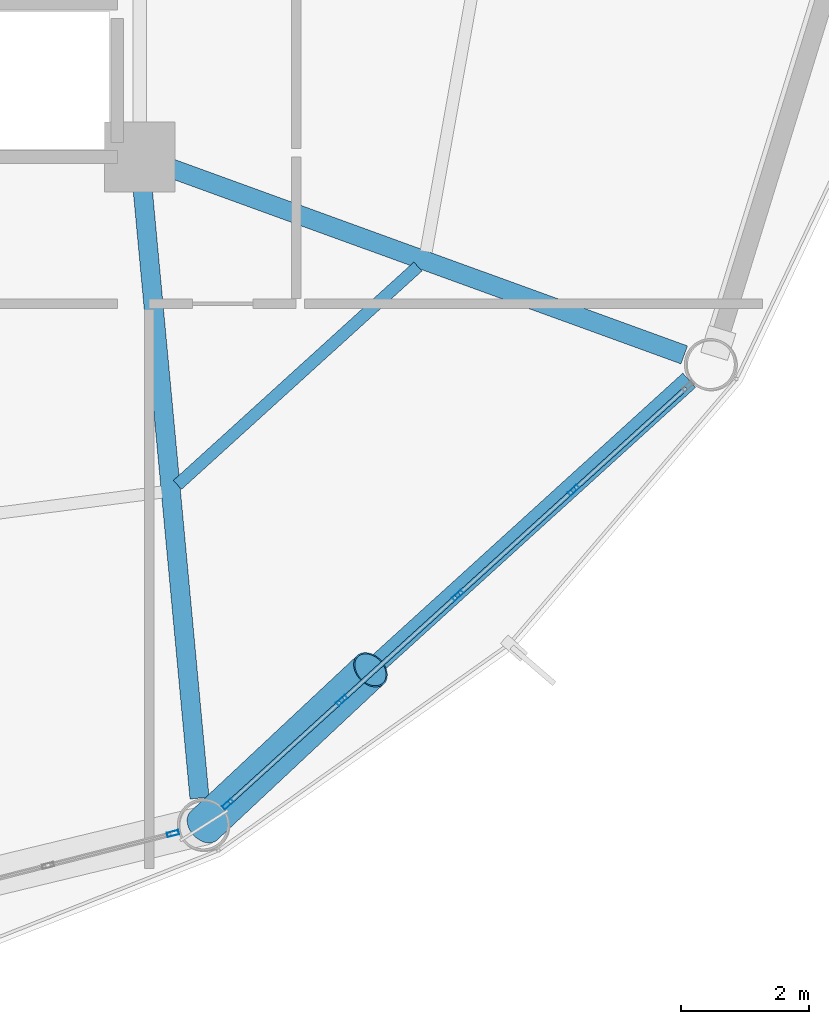
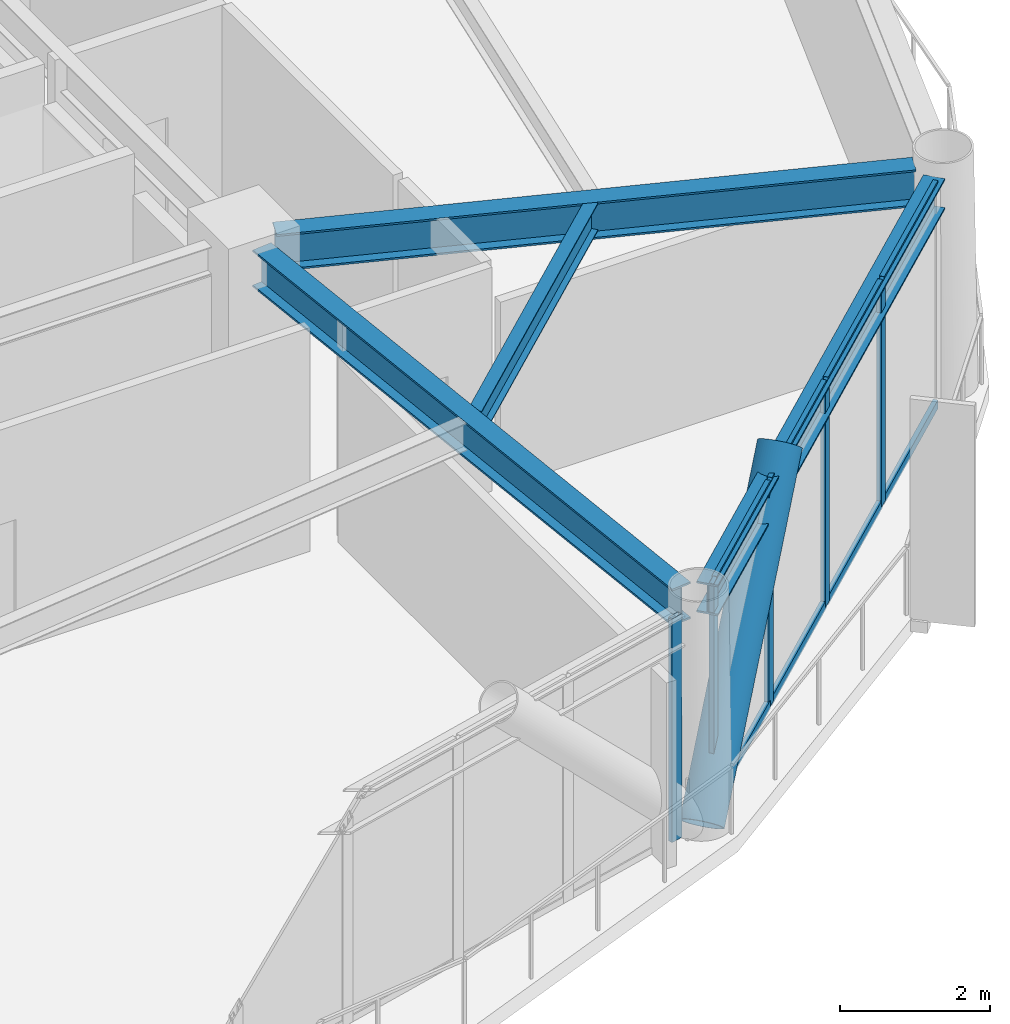
# One storey, part 12 of 26: 14 members, 4 beams, 2 elements without a shape of their own.
"""IFC4 building model written with IfcOpenShell, lengths in metres."""

from ifc_helpers import new_model, si_unit, direction, frame, origin, origin_2d, place, context, subcontext, project, spatial, hollow_rectangle, hollow_circle, i_section, extrude, material, layer, layer_set, material_profile, profile_set, type_object, element, aggregate, save


model = new_model("IFC4")

# Units and contexts
model_context = context("Model", 3, precision=1e-05, world=origin(), true_north=direction((0.0, 1.0)))
body_context = subcontext(model_context, "Body", "Model", "MODEL_VIEW")
ifc_project = project(units=[si_unit("LENGTHUNIT", "METRE"), si_unit("AREAUNIT", "SQUARE_METRE"), si_unit("VOLUMEUNIT", "CUBIC_METRE"), si_unit("PLANEANGLEUNIT", "RADIAN"), si_unit("MASSUNIT", "GRAM", prefix="KILO")], contexts=[model_context])

# Site, building, storey
site_placement = place(None, origin())
site = spatial("IfcSite", under=ifc_project, at=site_placement, CompositionType="ELEMENT")
building_placement = place(site_placement, origin())
building = spatial("IfcBuilding", under=site, at=building_placement, Name="Varnakorn Sky Granary", CompositionType="ELEMENT")
storey_placement = place(building_placement, frame((0.0, 0.0, 87.60009765625)))
storey = spatial("IfcBuildingStorey", under=building, at=storey_placement, Name="L21", CompositionType="ELEMENT", Elevation=87.60009765625)

# Beams
ifc_material_1 = material(Name="Steel S355JR", Category="steel")
ifc_material_profile_1 = material_profile(ifc_material_1, i_section(OverallWidth=0.300048828125, OverallDepth=0.60009765625, WebThickness=0.015380859375, FlangeThickness=0.030029296875, at=origin_2d()), Name="HE 600 B")
ifc_profile_set_1 = profile_set([ifc_material_profile_1], Name="Steel S355JR")
beam_type_1 = type_object("IfcBeamType", Name="BM-RAD-Z2", PredefinedType="BEAM", material=ifc_profile_set_1)
beam_1_placement = place(storey_placement, frame((8.388916015625, -7.018310546875, 3.33984375), z_axis=(0.092974523196, -0.99566848802, 0.0), x_axis=(0.99566848802, 0.092974523196, 0.0)))
element("IfcBeam", 1, at=beam_1_placement, inside=storey, type_object=beam_type_1, Name="Radial Floor Girder RG11 L21", PredefinedType="BEAM", context=body_context, shape_type="SweptSolid", body=[
    extrude(i_section(OverallWidth=0.300048828125, OverallDepth=0.60009765625, WebThickness=0.015380859375, FlangeThickness=0.030029296875, at=origin_2d()), origin(), (0.0, 0.0, 1.0), 9.665771484375),
])
beam_2_placement = place(storey_placement, frame((8.74462890625, -6.743408203125, 3.33984375), z_axis=(0.939863404905, -0.341550552804, 0.0), x_axis=(0.341550552804, 0.939863404905, 0.0)))
element("IfcBeam", 2, at=beam_2_placement, inside=storey, type_object=beam_type_1, Name="Radial Floor Girder RG12 L21", PredefinedType="BEAM", context=body_context, shape_type="SweptSolid", body=[
    extrude(i_section(OverallWidth=0.300048828125, OverallDepth=0.60009765625, WebThickness=0.015380859375, FlangeThickness=0.030029296875, at=origin_2d()), origin(), (0.0, 0.0, 1.0), 8.655517578125),
])
ifc_material_profile_2 = material_profile(ifc_material_1, i_section(OverallWidth=0.18994140625, OverallDepth=0.449951171875, WebThickness=0.009521484375, FlangeThickness=0.0146484375, at=origin_2d()), Name="IPE 450")
ifc_profile_set_2 = profile_set([ifc_material_profile_2], Name="Steel S355JR")
beam_type_2 = type_object("IfcBeamType", Name="BM-SEC-Z2", PredefinedType="BEAM", material=ifc_profile_set_2)
beam_3_placement = place(storey_placement, frame((8.94189453125, -11.736083984375, 3.414794921875), z_axis=(0.740332957245, 0.672240368035, 0.0), x_axis=(-0.672240368035, 0.740332957245, 0.0)))
element("IfcBeam", 3, at=beam_3_placement, inside=storey, type_object=beam_type_2, Name="Secondary Floor Chord Beam MSB11 L21", PredefinedType="BEAM", context=body_context, shape_type="SweptSolid", body=[
    extrude(i_section(OverallWidth=0.18994140625, OverallDepth=0.449951171875, WebThickness=0.009521484375, FlangeThickness=0.0146484375, at=origin_2d()), origin(), (0.0, 0.0, 1.0), 5.087646484375),
])
ifc_material_profile_3 = material_profile(ifc_material_1, i_section(OverallWidth=0.300048828125, OverallDepth=0.5, WebThickness=0.014404296875, FlangeThickness=0.028076171875, at=origin_2d()), Name="HE 500 B")
ifc_profile_set_3 = profile_set([ifc_material_profile_3], Name="Steel S355JR")
beam_type_3 = type_object("IfcBeamType", Name="BM-SPD-Z2", PredefinedType="SPANDREL", material=ifc_profile_set_3)
beam_4_placement = place(storey_placement, frame((9.61376953125, -16.768798828125, 3.389892578125), z_axis=(0.740163814334, 0.6724265967, 0.0), x_axis=(-0.6724265967, 0.740163814334, 0.0)))
element("IfcBeam", 4, at=beam_4_placement, inside=storey, type_object=beam_type_3, Name="Perimeter Spandrel Ring Beam RB11 L21", PredefinedType="SPANDREL", context=body_context, shape_type="SweptSolid", body=[
    extrude(i_section(OverallWidth=0.300048828125, OverallDepth=0.5, WebThickness=0.014404296875, FlangeThickness=0.028076171875, at=origin_2d()), origin(), (0.0, 0.0, 1.0), 9.92236328125),
])

# Curtain wall, member
ifc_material_2 = material(Name="Anodised Bronze Aluminium Alloy 6063-T6", Category="aluminium")
ifc_layer = layer(ifc_material_2, 0.18994140625, Name="Anodised Bronze Aluminium Alloy 6063-T6")
ifc_layer_set = layer_set([ifc_layer], Name="Anodised Bronze Aluminium Alloy 6063-T6")
curtain_wall_type = type_object("IfcCurtainWallType", Name="CW-FRM-1", PredefinedType="USERDEFINED", material=ifc_layer_set)
curtain_wall_1_placement = place(storey_placement, origin())
curtain_wall_1 = element("IfcCurtainWall", 5, at=curtain_wall_1_placement, inside=storey, type_object=curtain_wall_type, Name="Unitised Curtain Wall CW3 CW-L21-B10", ObjectType="CURTAIN WALL", PredefinedType="USERDEFINED")
ifc_material_profile_4 = material_profile(ifc_material_2, hollow_rectangle(XDim=0.070068359375, YDim=0.18505859375, WallThickness=0.00390625, at=origin_2d()), Name="ALU MULL 70x185")
ifc_profile_set_4 = profile_set([ifc_material_profile_4], Name="Anodised Bronze Aluminium Alloy 6063-T6")
member_type_1 = type_object("IfcMemberType", Name="CW-FRM-1-MULL", PredefinedType="MULLION", material=ifc_profile_set_4)
member_1_placement = place(storey_placement, frame((8.87158203125, -17.197998046875, 0.0), z_axis=(0.0, 0.0, 1.0), x_axis=(0.247728719051, -0.96882943894, 0.0)))
member_1 = element("IfcMember", 6, at=member_1_placement, type_object=member_type_1, Name="CW3 mullion 1", PredefinedType="MULLION", context=body_context, shape_type="SweptSolid", body=[
    extrude(hollow_rectangle(XDim=0.070068359375, YDim=0.18505859375, WallThickness=0.00390625, at=origin_2d()), origin(), (0.0, 0.0, 1.0), 3.639892578125),
])
aggregate(curtain_wall_1, [member_1])

# Curtain wall, members
curtain_wall_2_placement = place(storey_placement, origin())
curtain_wall_2 = element("IfcCurtainWall", 7, at=curtain_wall_2_placement, inside=storey, type_object=curtain_wall_type, Name="Unitised Curtain Wall CW3 CW-L21-B11", ObjectType="CURTAIN WALL", PredefinedType="USERDEFINED")
member_2_placement = place(storey_placement, frame((15.14599609375, -11.818359375, 0.0), z_axis=(0.0, 0.0, 1.0), x_axis=(0.672190262797, -0.74037845093, 0.0)))
member_2 = element("IfcMember", 8, at=member_2_placement, type_object=member_type_1, Name="CW3 mullion 2", PredefinedType="MULLION", context=body_context, shape_type="SweptSolid", body=[
    extrude(hollow_rectangle(XDim=0.070068359375, YDim=0.18505859375, WallThickness=0.00390625, at=origin_2d()), origin(), (0.0, 0.0, 1.0), 3.639892578125),
])
member_3_placement = place(storey_placement, frame((13.33154296875, -13.465576171875, 0.0), z_axis=(0.0, 0.0, 1.0), x_axis=(0.672190262797, -0.74037845093, 0.0)))
member_3 = element("IfcMember", 9, at=member_3_placement, type_object=member_type_1, Name="CW3 mullion 3", PredefinedType="MULLION", context=body_context, shape_type="SweptSolid", body=[
    extrude(hollow_rectangle(XDim=0.070068359375, YDim=0.18505859375, WallThickness=0.00390625, at=origin_2d()), origin(), (0.0, 0.0, 1.0), 3.639892578125),
])
member_4_placement = place(storey_placement, frame((11.517333984375, -15.11279296875, 0.0), z_axis=(0.0, 0.0, 1.0), x_axis=(0.672190262797, -0.74037845093, 0.0)))
member_4 = element("IfcMember", 10, at=member_4_placement, type_object=member_type_1, Name="CW3 mullion 4", PredefinedType="MULLION", context=body_context, shape_type="SweptSolid", body=[
    extrude(hollow_rectangle(XDim=0.070068359375, YDim=0.18505859375, WallThickness=0.00390625, at=origin_2d()), origin(), (0.0, 0.0, 1.0), 3.639892578125),
])
member_5_placement = place(storey_placement, frame((9.728759765625, -16.736572265625, 0.0), z_axis=(0.0, 0.0, 1.0), x_axis=(0.672190262797, -0.74037845093, 0.0)))
member_5 = element("IfcMember", 11, at=member_5_placement, type_object=member_type_1, Name="CW3 mullion 5", PredefinedType="MULLION", context=body_context, shape_type="SweptSolid", body=[
    extrude(hollow_rectangle(XDim=0.070068359375, YDim=0.18505859375, WallThickness=0.00390625, at=origin_2d()), origin(), (0.0, 0.0, 1.0), 3.639892578125),
])
ifc_material_profile_5 = material_profile(ifc_material_2, hollow_rectangle(XDim=0.070068359375, YDim=0.139892578125, WallThickness=0.00341796875, at=origin_2d()), Name="ALU TRAN 70x140")
ifc_profile_set_5 = profile_set([ifc_material_profile_5], Name="Anodised Bronze Aluminium Alloy 6063-T6")
member_type_2 = type_object("IfcMemberType", Name="CW-FRM-1-TRAN", PredefinedType="USERDEFINED", material=ifc_profile_set_5)
member_6_placement = place(storey_placement, frame((16.908447265625, -10.21826171875, 0.034912109375), z_axis=(-0.740373224632, -0.672196019215, 0.0), x_axis=(0.672196019215, -0.740373224632, 0.0)))
member_6 = element("IfcMember", 12, at=member_6_placement, type_object=member_type_2, Name="CW3 transom 1.1", ObjectType="TRANSOM", PredefinedType="USERDEFINED", context=body_context, shape_type="SweptSolid", body=[
    extrude(hollow_rectangle(XDim=0.070068359375, YDim=0.139892578125, WallThickness=0.00341796875, at=origin_2d()), origin(), (0.0, 0.0, 1.0), 2.345458984375),
])
member_7_placement = place(storey_placement, frame((16.908447265625, -10.21826171875, 3.60498046875), z_axis=(-0.740373224632, -0.672196019215, 0.0), x_axis=(0.672196019215, -0.740373224632, 0.0)))
member_7 = element("IfcMember", 13, at=member_7_placement, type_object=member_type_2, Name="CW3 transom 1.2", ObjectType="TRANSOM", PredefinedType="USERDEFINED", context=body_context, shape_type="SweptSolid", body=[
    extrude(hollow_rectangle(XDim=0.070068359375, YDim=0.139892578125, WallThickness=0.00341796875, at=origin_2d()), origin(), (0.0, 0.0, 1.0), 2.345458984375),
])
member_8_placement = place(storey_placement, frame((15.1201171875, -11.841796875, 0.034912109375), z_axis=(-0.740380722285, -0.672187761022, 0.0), x_axis=(0.672187761022, -0.740380722285, 0.0)))
member_8 = element("IfcMember", 14, at=member_8_placement, type_object=member_type_2, Name="CW3 transom 2.1", ObjectType="TRANSOM", PredefinedType="USERDEFINED", context=body_context, shape_type="SweptSolid", body=[
    extrude(hollow_rectangle(XDim=0.070068359375, YDim=0.139892578125, WallThickness=0.00341796875, at=origin_2d()), origin(), (0.0, 0.0, 1.0), 2.380859375),
])
member_9_placement = place(storey_placement, frame((15.1201171875, -11.841796875, 3.60498046875), z_axis=(-0.740380722285, -0.672187761022, 0.0), x_axis=(0.672187761022, -0.740380722285, 0.0)))
member_9 = element("IfcMember", 15, at=member_9_placement, type_object=member_type_2, Name="CW3 transom 2.2", ObjectType="TRANSOM", PredefinedType="USERDEFINED", context=body_context, shape_type="SweptSolid", body=[
    extrude(hollow_rectangle(XDim=0.070068359375, YDim=0.139892578125, WallThickness=0.00341796875, at=origin_2d()), origin(), (0.0, 0.0, 1.0), 2.380859375),
])
member_10_placement = place(storey_placement, frame((13.3056640625, -13.489013671875, 0.034912109375), z_axis=(-0.740334383082, -0.67223879777, 0.0), x_axis=(0.67223879777, -0.740334383082, 0.0)))
member_10 = element("IfcMember", 16, at=member_10_placement, type_object=member_type_2, Name="CW3 transom 3.1", ObjectType="TRANSOM", PredefinedType="USERDEFINED", context=body_context, shape_type="SweptSolid", body=[
    extrude(hollow_rectangle(XDim=0.070068359375, YDim=0.139892578125, WallThickness=0.00341796875, at=origin_2d()), origin(), (0.0, 0.0, 1.0), 2.380615234375),
])
member_11_placement = place(storey_placement, frame((13.3056640625, -13.489013671875, 3.60498046875), z_axis=(-0.740334383082, -0.67223879777, 0.0), x_axis=(0.67223879777, -0.740334383082, 0.0)))
member_11 = element("IfcMember", 17, at=member_11_placement, type_object=member_type_2, Name="CW3 transom 3.2", ObjectType="TRANSOM", PredefinedType="USERDEFINED", context=body_context, shape_type="SweptSolid", body=[
    extrude(hollow_rectangle(XDim=0.070068359375, YDim=0.139892578125, WallThickness=0.00341796875, at=origin_2d()), origin(), (0.0, 0.0, 1.0), 2.380615234375),
])
member_12_placement = place(storey_placement, frame((11.491455078125, -15.136474609375, 0.034912109375), z_axis=(-0.740420250797, -0.672144219799, 0.0), x_axis=(0.672144219799, -0.740420250797, 0.0)))
member_12 = element("IfcMember", 18, at=member_12_placement, type_object=member_type_2, Name="CW3 transom 4.1", ObjectType="TRANSOM", PredefinedType="USERDEFINED", context=body_context, shape_type="SweptSolid", body=[
    extrude(hollow_rectangle(XDim=0.070068359375, YDim=0.139892578125, WallThickness=0.00341796875, at=origin_2d()), origin(), (0.0, 0.0, 1.0), 2.345703125),
])
member_13_placement = place(storey_placement, frame((11.491455078125, -15.136474609375, 3.60498046875), z_axis=(-0.740420250797, -0.672144219799, 0.0), x_axis=(0.672144219799, -0.740420250797, 0.0)))
member_13 = element("IfcMember", 19, at=member_13_placement, type_object=member_type_2, Name="CW3 transom 4.2", ObjectType="TRANSOM", PredefinedType="USERDEFINED", context=body_context, shape_type="SweptSolid", body=[
    extrude(hollow_rectangle(XDim=0.070068359375, YDim=0.139892578125, WallThickness=0.00341796875, at=origin_2d()), origin(), (0.0, 0.0, 1.0), 2.345703125),
])
aggregate(curtain_wall_2, [member_2, member_3, member_4, member_5, member_6, member_7, member_8, member_9, member_10, member_11, member_12, member_13])

# Member
ifc_material_3 = material(Name="Steel S460M", Category="steel")
ifc_material_profile_6 = material_profile(ifc_material_3, hollow_circle(Radius=0.304931640625, WallThickness=0.022216796875, at=origin_2d()), Name="CHS 610x22")
ifc_profile_set_6 = profile_set([ifc_material_profile_6], Name="Steel S460M")
member_type_3 = type_object("IfcMemberType", Name="MB-DIAG-T1", PredefinedType="BRACE", material=ifc_profile_set_6)
member_14_placement = place(storey_placement, frame((9.357421875, -17.07373046875, 0.0), z_axis=(0.500717987003, 0.468746292673, 0.727707640881), x_axis=(-0.683415763034, 0.730029379434, 0.0)))
element("IfcMember", 20, at=member_14_placement, inside=storey, type_object=member_type_3, Name="Perimeter CHS Diagrid Brace DG11 L21", PredefinedType="BRACE", context=body_context, shape_type="SweptSolid", body=[
    extrude(hollow_circle(Radius=0.304931640625, WallThickness=0.022216796875, at=origin_2d()), origin(), (0.0, 0.0, 1.0), 5.207763671875),
])

save(model, "model.ifc")
